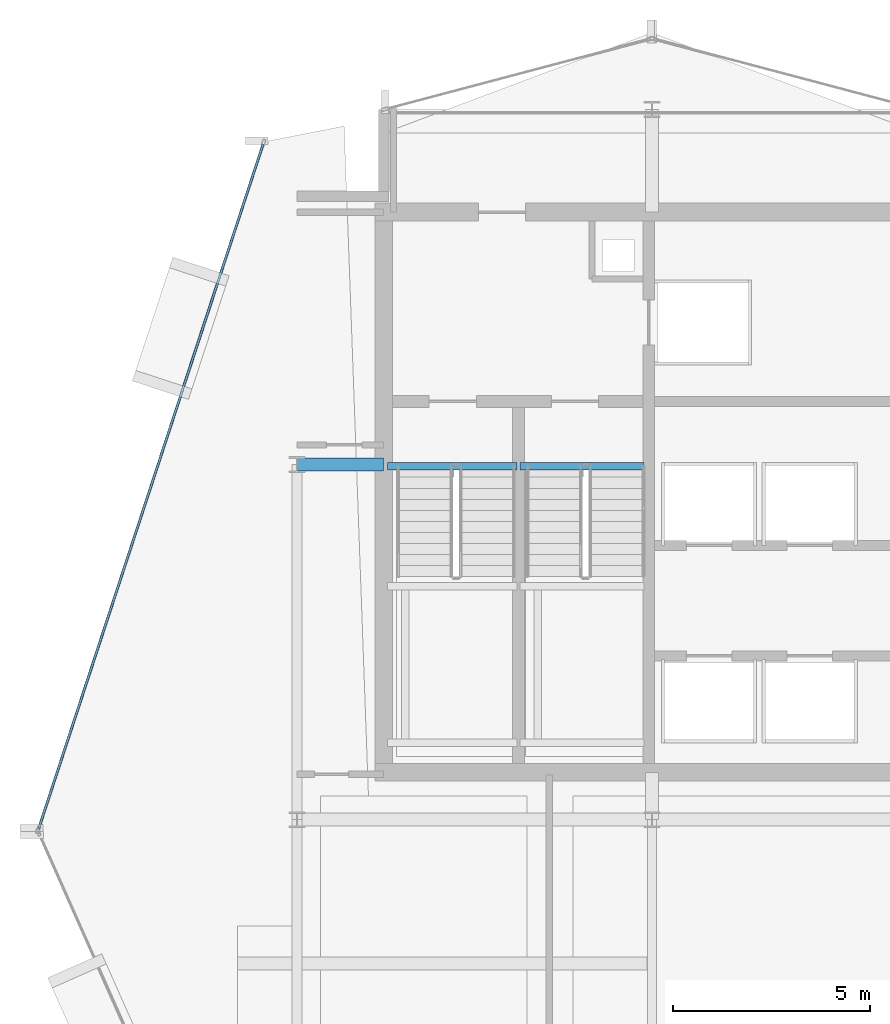
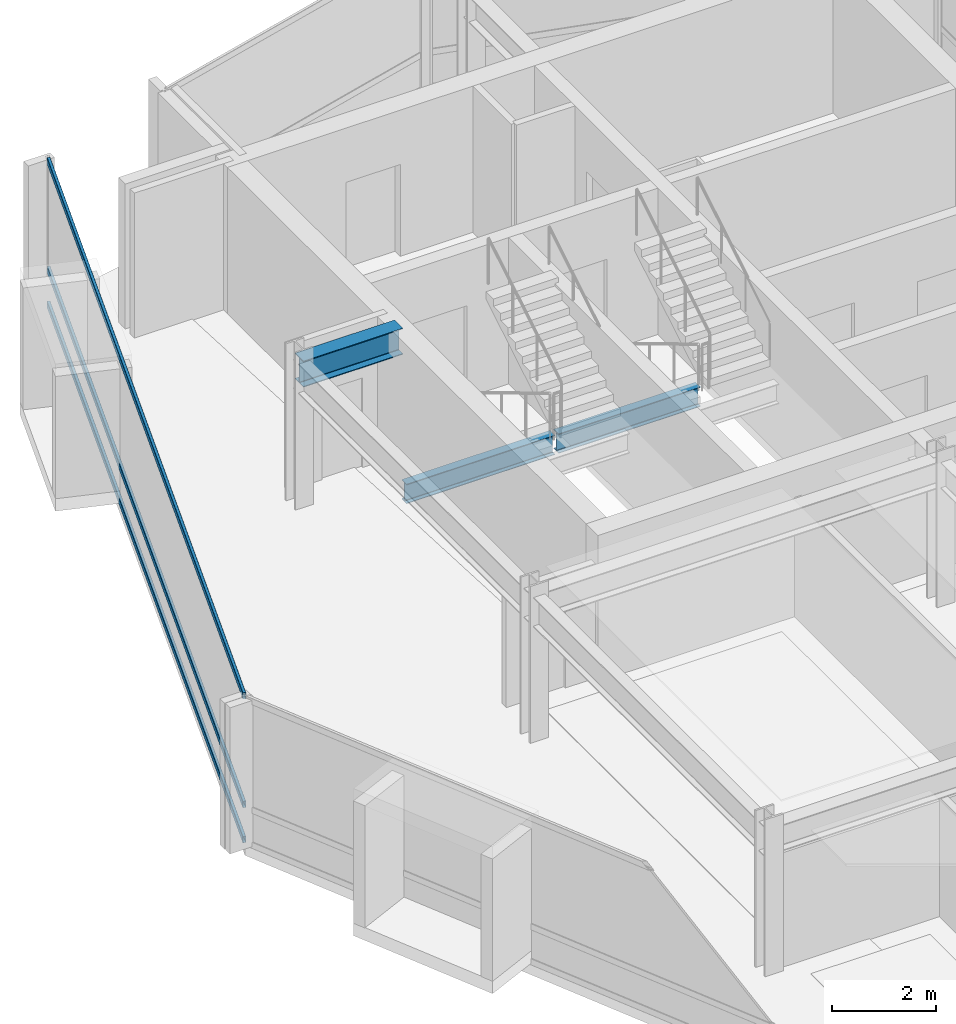
# One storey, part 15 of 27: 3 beams, 3 members, 1 element without a shape of its own.
"""IFC4 building model written with IfcOpenShell, lengths in metres."""

from ifc_helpers import new_model, si_unit, direction, frame, origin, origin_2d, place, context, subcontext, project, spatial, hollow_rectangle, i_section, extrude, material, layer, layer_set, material_profile, profile_set, type_object, element, aggregate, save


model = new_model("IFC4")

# Units and contexts
model_context = context("Model", 3, precision=1e-05, world=origin(), true_north=direction((0.0, 1.0)))
body_context = subcontext(model_context, "Body", "Model", "MODEL_VIEW")
ifc_project = project(units=[si_unit("LENGTHUNIT", "METRE"), si_unit("AREAUNIT", "SQUARE_METRE"), si_unit("VOLUMEUNIT", "CUBIC_METRE"), si_unit("PLANEANGLEUNIT", "RADIAN"), si_unit("MASSUNIT", "GRAM", prefix="KILO")], contexts=[model_context])

# Site, building, storey
site_placement = place(None, origin())
site = spatial("IfcSite", under=ifc_project, at=site_placement, CompositionType="ELEMENT")
building_placement = place(site_placement, origin())
building = spatial("IfcBuilding", under=site, at=building_placement, Name="Solvaryn Broadcast Tower", CompositionType="ELEMENT")
storey_placement = place(building_placement, frame((0.0, 0.0, 224.699951171875)))
storey = spatial("IfcBuildingStorey", under=building, at=storey_placement, Name="L56", CompositionType="ELEMENT", Elevation=224.699951171875)

# Beams
ifc_material_1 = material(Name="Steel ASTM A992 Grade 50", Category="steel")
ifc_material_profile_1 = material_profile(ifc_material_1, i_section(OverallWidth=0.323974609375, OverallDepth=0.611083984375, WebThickness=0.0126953125, FlangeThickness=0.01904296875, FilletRadius=0.014892578125, at=origin_2d()))
ifc_profile_set_1 = profile_set([ifc_material_profile_1], Name="Steel ASTM A992 Grade 50")
beam_type_1 = type_object("IfcBeamType", Name="BM-B1-W24X104", PredefinedType="BEAM", material=ifc_profile_set_1)
beam_1_placement = place(storey_placement, frame((9.0, 36.0, 3.114501953125), z_axis=(1.0, 0.0, 0.0), x_axis=(0.0, 1.0, 0.0)))
element("IfcBeam", 1, at=beam_1_placement, inside=storey, type_object=beam_type_1, Name="L56 Core Tie Beam CTW1", PredefinedType="BEAM", context=body_context, shape_type="SweptSolid", body=[
    extrude(i_section(OverallWidth=0.323974609375, OverallDepth=0.611083984375, WebThickness=0.0126953125, FlangeThickness=0.01904296875, FilletRadius=0.014892578125, at=origin_2d()), origin(), (0.0, 0.0, 1.0), 2.199951171875),
])
ifc_material_2 = material(Name="Steel ASTM A992 Grade 50", Category="steel")
ifc_material_profile_2 = material_profile(ifc_material_2, i_section(OverallWidth=0.18994140625, OverallDepth=0.45703125, WebThickness=0.009033203125, FlangeThickness=0.014404296875, FilletRadius=0.011962890625, at=origin_2d()))
ifc_profile_set_2 = profile_set([ifc_material_profile_2], Name="Steel ASTM A992 Grade 50")
beam_type_2 = type_object("IfcBeamType", Name="BM-B4-W18X50", PredefinedType="BEAM", material=ifc_profile_set_2)
beam_2_placement = place(storey_placement, frame((11.300048828125, 35.9599609375, -0.508544921875), z_axis=(1.0, 0.0, 0.0), x_axis=(0.0, 1.0, 0.0)))
element("IfcBeam", 2, at=beam_2_placement, inside=storey, type_object=beam_type_2, Name="L56 ST1 Stair Well Trimmer Beam", PredefinedType="BEAM", context=body_context, shape_type="SweptSolid", body=[
    extrude(i_section(OverallWidth=0.18994140625, OverallDepth=0.45703125, WebThickness=0.009033203125, FlangeThickness=0.014404296875, FilletRadius=0.011962890625, at=origin_2d()), origin(), (0.0, 0.0, 1.0), 3.280029296875),
])
beam_3_placement = place(storey_placement, frame((14.659912109375, 35.9599609375, -0.508544921875), z_axis=(1.0, 0.0, 0.0), x_axis=(0.0, 1.0, 0.0)))
element("IfcBeam", 3, at=beam_3_placement, inside=storey, type_object=beam_type_2, Name="L56 ST2 Stair Well Trimmer Beam", PredefinedType="BEAM", context=body_context, shape_type="SweptSolid", body=[
    extrude(i_section(OverallWidth=0.18994140625, OverallDepth=0.45703125, WebThickness=0.009033203125, FlangeThickness=0.014404296875, FilletRadius=0.011962890625, at=origin_2d()), origin(), (0.0, 0.0, 1.0), 3.14013671875),
])

# Curtain wall, members
ifc_material_3 = material(Name="Aluminium and Terracotta Unitised Curtain Wall", Category="masonry")
ifc_layer = layer(ifc_material_3, 0.199951171875)
ifc_layer_set = layer_set([ifc_layer], Name="CW-SYS2-LOWMID")
curtain_wall_type = type_object("IfcCurtainWallType", Name="CW-SYS2-LOWMID", PredefinedType="NOTDEFINED", material=ifc_layer_set)
curtain_wall_placement = place(storey_placement, origin())
curtain_wall = element("IfcCurtainWall", 4, at=curtain_wall_placement, inside=storey, type_object=curtain_wall_type, Name="L56 Curtain Wall DR1", PredefinedType="NOTDEFINED")
ifc_material_4 = material(Name="Anodised Aluminium 6063-T6", Category="aluminium")
ifc_material_profile_3 = material_profile(ifc_material_4, hollow_rectangle(XDim=0.06494140625, YDim=0.14990234375, WallThickness=0.00390625, InnerFilletRadius=0.00390625, OuterFilletRadius=0.008056640625, at=origin_2d()))
ifc_profile_set_3 = profile_set([ifc_material_profile_3], Name="Anodised Aluminium 6063-T6")
member_type = type_object("IfcMemberType", Name="CW-TRN-150", PredefinedType="USERDEFINED", material=ifc_profile_set_3)
member_1_placement = place(storey_placement, frame((8.144287109375, 44.125, 0.030029296875), z_axis=(-0.311557987209, -0.950227141586, 0.0), x_axis=(0.950227141586, -0.311557987209, 0.0)))
member_1 = element("IfcMember", 5, at=member_1_placement, type_object=member_type, Name="CWS2 transom 1.1", ObjectType="TRANSOM", PredefinedType="USERDEFINED", context=body_context, shape_type="SweptSolid", body=[
    extrude(hollow_rectangle(XDim=0.06494140625, YDim=0.14990234375, WallThickness=0.00390625, InnerFilletRadius=0.00390625, OuterFilletRadius=0.008056640625, at=origin_2d()), origin(), (0.0, 0.0, 1.0), 18.271484375),
])
member_2_placement = place(storey_placement, frame((8.144287109375, 44.125, 0.85009765625), z_axis=(-0.311557987209, -0.950227141586, 0.0), x_axis=(0.950227141586, -0.311557987209, 0.0)))
member_2 = element("IfcMember", 6, at=member_2_placement, type_object=member_type, Name="CWS2 transom 1.2", ObjectType="TRANSOM", PredefinedType="USERDEFINED", context=body_context, shape_type="SweptSolid", body=[
    extrude(hollow_rectangle(XDim=0.06494140625, YDim=0.14990234375, WallThickness=0.00390625, InnerFilletRadius=0.00390625, OuterFilletRadius=0.008056640625, at=origin_2d()), origin(), (0.0, 0.0, 1.0), 18.271484375),
])
member_3_placement = place(storey_placement, frame((8.144287109375, 44.125, 3.39013671875), z_axis=(-0.311557987209, -0.950227141586, 0.0), x_axis=(0.950227141586, -0.311557987209, 0.0)))
member_3 = element("IfcMember", 7, at=member_3_placement, type_object=member_type, Name="CWS2 transom 1.3", ObjectType="TRANSOM", PredefinedType="USERDEFINED", context=body_context, shape_type="SweptSolid", body=[
    extrude(hollow_rectangle(XDim=0.06494140625, YDim=0.14990234375, WallThickness=0.00390625, InnerFilletRadius=0.00390625, OuterFilletRadius=0.008056640625, at=origin_2d()), origin(), (0.0, 0.0, 1.0), 18.271484375),
])
aggregate(curtain_wall, [member_1, member_2, member_3])

save(model, "model.ifc")
